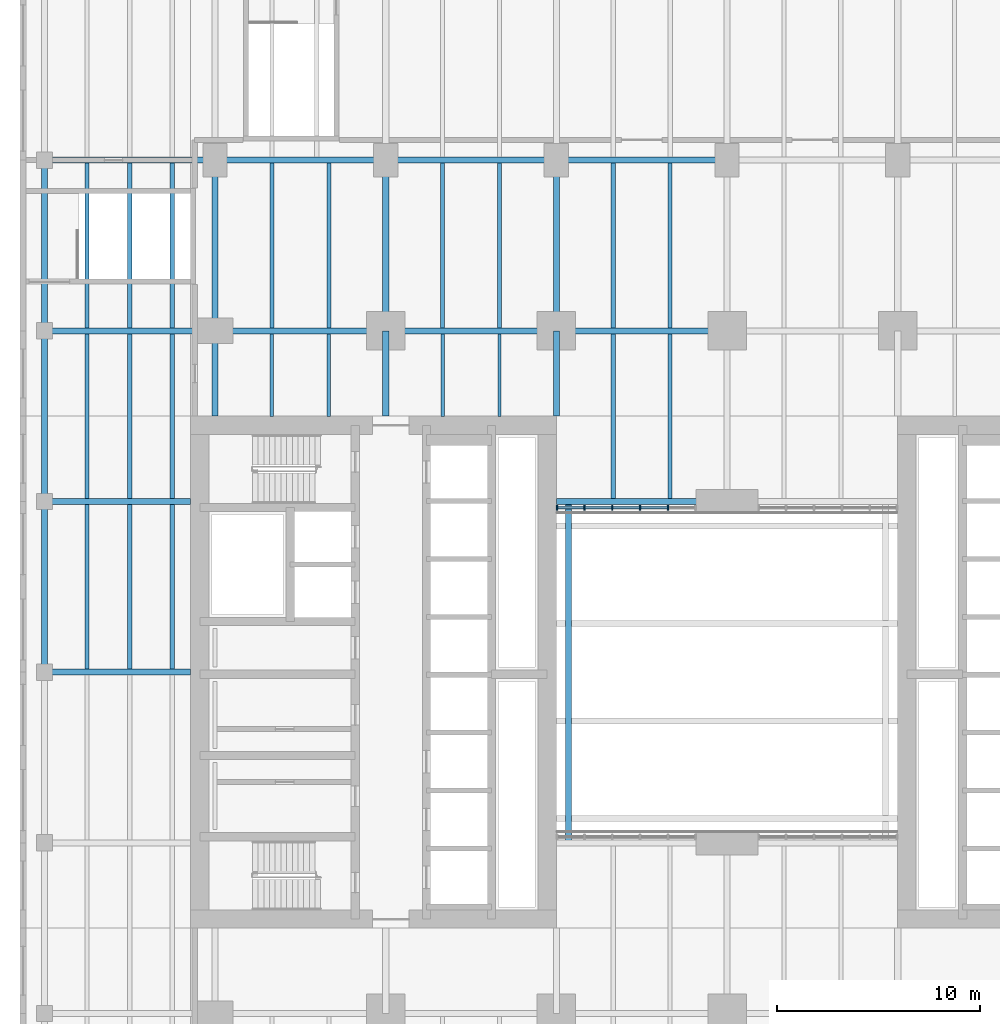
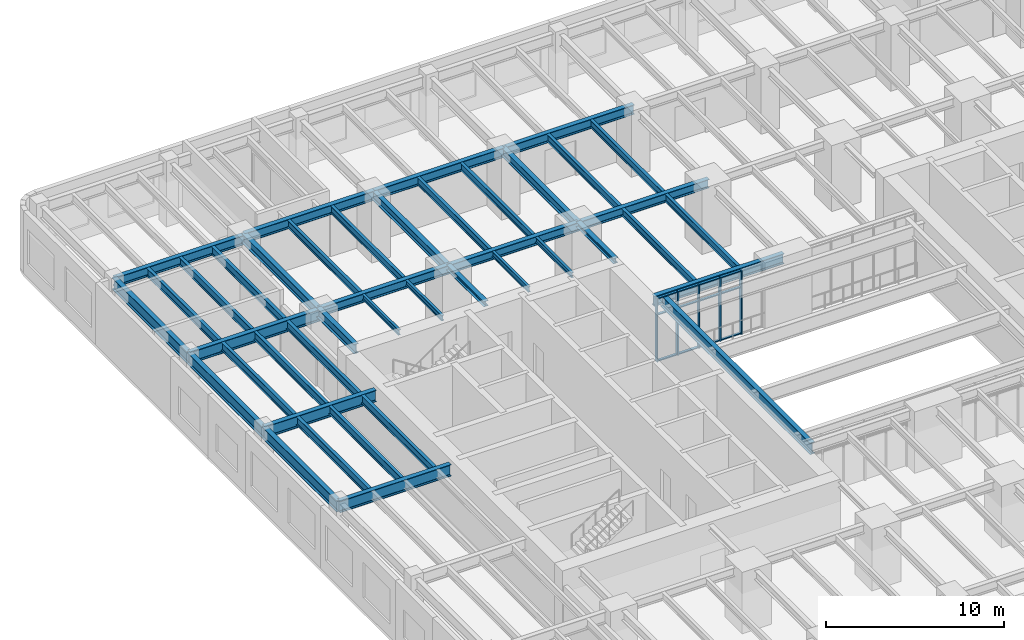
# One storey, part 4 of 22: 42 beams, 17 members, 1 element without a shape of its own.
"""IFC4 building model written with IfcOpenShell, lengths in metres."""

import ifcopenshell
import ifcopenshell.guid

model = None  # the IFC model being written
_history = None  # IfcOwnerHistory: only IFC2X3 demands one
_inside = {}  # id of a spatial element -> (the spatial element, [elements in it])
_under = {}  # id of a project, library or spatial element -> (it, [spatial elements below it])
_declared = {}  # id of a project -> (the project, [libraries it declares])
_typed = {}  # id of a type object -> (the type object, [elements of that type])
_made_of = {}  # id of a material, layer set ... -> (it, [elements and type objects made of it])


def new_model(schema):
    """Start an empty IFC model of exactly this schema.

    Asked for "IFC4X3", IfcOpenShell would pick the latest addendum, in which some entities
    have other attributes; the version numbers below select the first issue.
    IFC2X3 requires an IfcOwnerHistory on every rooted entity: one is made here for all.
    """
    global model, _history
    if schema == "IFC4X3":
        model = ifcopenshell.file(schema_version=(4, 3, 0, 0))
    else:
        model = ifcopenshell.file(schema=schema)
    _inside.clear()
    _under.clear()
    _declared.clear()
    _typed.clear()
    _made_of.clear()
    _history = None
    if model.schema == "IFC2X3":
        org = make("IfcOrganization", Name="unknown")
        user = make(
            "IfcPersonAndOrganization",
            ThePerson=make("IfcPerson", FamilyName="unknown"),
            TheOrganization=org,
        )
        app = make(
            "IfcApplication",
            ApplicationDeveloper=org,
            Version="unknown",
            ApplicationFullName="unknown",
            ApplicationIdentifier="unknown",
        )
        _history = make(
            "IfcOwnerHistory",
            OwningUser=user,
            OwningApplication=app,
            ChangeAction="ADDED",
            CreationDate=0,
        )
    return model


def make(cls, **values):
    """One entity of the class cls with the attributes given. An attribute that is None is left unset."""
    return model.create_entity(
        cls, **{name: value for name, value in values.items() if value is not None}
    )


def rooted(cls, **values):
    """An entity with a GlobalId (a new one), such as an element, a storey or a relation."""
    return make(cls, GlobalId=ifcopenshell.guid.new(), OwnerHistory=_history, **values)


def si_unit(unit_type, name, prefix=None):
    """IfcSIUnit, for example si_unit("LENGTHUNIT", "METRE", prefix="MILLI")."""
    return make("IfcSIUnit", UnitType=unit_type, Prefix=prefix, Name=name)


def assignment(units):
    """IfcUnitAssignment: the units of a project."""
    return None if units is None else make("IfcUnitAssignment", Units=units)


def point(xyz):
    """IfcCartesianPoint."""
    return None if xyz is None else make("IfcCartesianPoint", Coordinates=xyz)


def direction(xyz):
    """IfcDirection."""
    return None if xyz is None else make("IfcDirection", DirectionRatios=xyz)


def frame(location, z_axis=None, x_axis=None):
    """IfcAxis2Placement3D, a coordinate frame: its origin and axes. An axis left out is left unset."""
    return make(
        "IfcAxis2Placement3D",
        Location=point(location),
        Axis=direction(z_axis),
        RefDirection=direction(x_axis),
    )


def frame_2d(location, x_axis=None):
    """IfcAxis2Placement2D, a coordinate frame in the plane: its origin and x axis."""
    return make(
        "IfcAxis2Placement2D", Location=point(location), RefDirection=direction(x_axis)
    )


def origin():
    """The frame at (0, 0, 0) with its axes left unset."""
    return frame((0.0, 0.0, 0.0))


def origin_2d():
    """The frame at (0, 0) in the plane with its x axis left unset."""
    return frame_2d((0.0, 0.0))


def place(relative_to, where):
    """IfcLocalPlacement: puts the frame where relative to a parent placement (None: the world)."""
    return make(
        "IfcLocalPlacement", PlacementRelTo=relative_to, RelativePlacement=where
    )


def context(
    kind, dimensions, precision=None, world=None, true_north=None, identifier=None
):
    """IfcGeometricRepresentationContext, for example the 3D "Model" context."""
    return make(
        "IfcGeometricRepresentationContext",
        ContextIdentifier=identifier,
        ContextType=kind,
        CoordinateSpaceDimension=dimensions,
        Precision=precision,
        WorldCoordinateSystem=world,
        TrueNorth=true_north,
    )


def subcontext(parent, identifier, kind, view, scale=None):
    """IfcGeometricRepresentationSubContext, for example "Body" below "Model"."""
    return make(
        "IfcGeometricRepresentationSubContext",
        ContextIdentifier=identifier,
        ContextType=kind,
        ParentContext=parent,
        TargetScale=scale,
        TargetView=view,
    )


def project(units=None, contexts=None):
    """IfcProject with its units and contexts."""
    return rooted(
        "IfcProject",
        Name="project",
        RepresentationContexts=contexts,
        UnitsInContext=assignment(units),
    )


def spatial(cls, under=None, at=None, **own):
    """A site, building, storey or space (cls), placed at a placement, below another one or the project."""
    s = rooted(cls, ObjectPlacement=at, **own)
    if under is not None:
        _under.setdefault(under.id(), (under, []))[1].append(s)
    return s


def profile(cls, at=None, kind="AREA", **sizes):
    """A parametric profile (cls). Its sizes go by their IFC names, for example OverallWidth=200.0."""
    return make(cls, ProfileType=kind, Position=at, **sizes)


def rectangle(**sizes):
    """IfcRectangleProfileDef."""
    return profile("IfcRectangleProfileDef", **sizes)


def i_section(**sizes):
    """IfcIShapeProfileDef."""
    return profile("IfcIShapeProfileDef", **sizes)


def extrude(swept, where, along, depth):
    """IfcExtrudedAreaSolid: the profile swept, set in the frame where, extruded along a direction by depth."""
    return make(
        "IfcExtrudedAreaSolid",
        SweptArea=swept,
        Position=where,
        ExtrudedDirection=direction(along),
        Depth=depth,
    )


def shape(context_of_items, identifier, shape_type, items):
    """IfcShapeRepresentation: the items that make up one representation, for example the "Body"."""
    return make(
        "IfcShapeRepresentation",
        ContextOfItems=context_of_items,
        RepresentationIdentifier=identifier,
        RepresentationType=shape_type,
        Items=items,
    )


def material(Name=None, Category=None):
    """IfcMaterial."""
    return make("IfcMaterial", Name=Name, Category=Category)


def material_profile(
    of_material, cross_section, Name=None, Category=None, Priority=None
):
    """IfcMaterialProfile: a cross section and its material."""
    return make(
        "IfcMaterialProfile",
        Name=Name,
        Material=of_material,
        Profile=cross_section,
        Priority=Priority,
        Category=Category,
    )


def profile_set(profiles, Name=None, composite=None):
    """IfcMaterialProfileSet."""
    return make(
        "IfcMaterialProfileSet",
        Name=Name,
        MaterialProfiles=profiles,
        CompositeProfile=composite,
    )


def made_of(thing, what):
    """Note that an element or type object is made of a material, layer set ...; save() writes the relation."""
    if what is not None:
        _made_of.setdefault(what.id(), (what, []))[1].append(thing)
    return thing


def type_object(cls, material=None, **own):
    """A type object (cls), such as IfcWallType, which elements share."""
    return made_of(rooted(cls, **own), material)


def element(
    cls,
    number,
    at=None,
    inside=None,
    cuts=None,
    type_object=None,
    material=None,
    context=None,
    identifier="Body",
    shape_type=None,
    held_by="IfcProductDefinitionShape",
    body=None,
    shapes=None,
    **own,
):
    """One element of the class cls, such as IfcWall. Its Tag is "e" and its number.

    at: its placement. inside: the storey or other place that contains it. cuts: it is an
    opening in that element (IfcRelVoidsElement). A single representation is given by context,
    identifier, shape_type and body (its items); several are given by shapes. held_by: the class
    of the entity that holds the representations. save() writes the other relations.
    """
    e = rooted(cls, Tag="e%d" % number, ObjectPlacement=at, **own)
    if body is not None:
        shapes = [shape(context, identifier, shape_type, body)]
    if shapes is not None:
        e.Representation = make(held_by, Representations=shapes)
    if inside is not None:
        _inside.setdefault(inside.id(), (inside, []))[1].append(e)
    if cuts is not None:
        rooted(
            "IfcRelVoidsElement", RelatingBuildingElement=cuts, RelatedOpeningElement=e
        )
    if type_object is not None:
        _typed.setdefault(type_object.id(), (type_object, []))[1].append(e)
    return made_of(e, material)


def aggregate(whole, parts):
    """IfcRelAggregates: a whole, such as a stair, and the parts it consists of."""
    return rooted("IfcRelAggregates", RelatingObject=whole, RelatedObjects=parts)


def save(model, path):
    """Write the relations noted so far, then the file.

    IfcRelAggregates (storeys below a building ...), IfcRelContainedInSpatialStructure (elements
    in a storey), IfcRelDefinesByType, IfcRelAssociatesMaterial and IfcRelDeclares: one each for
    every whole, place, type object, material and project.
    """
    for whole, parts in _under.values():
        aggregate(whole, parts)
    for where, things in _inside.values():
        rooted(
            "IfcRelContainedInSpatialStructure",
            RelatedElements=things,
            RelatingStructure=where,
        )
    for kind, things in _typed.values():
        rooted("IfcRelDefinesByType", RelatedObjects=things, RelatingType=kind)
    for what, things in _made_of.values():
        rooted("IfcRelAssociatesMaterial", RelatedObjects=things, RelatingMaterial=what)
    for by, libraries in _declared.values():
        rooted("IfcRelDeclares", RelatingContext=by, RelatedDefinitions=libraries)
    model.write(path)


model = new_model("IFC4")

# Units and contexts
model_context = context("Model", 3, precision=1e-05, world=origin(), true_north=direction((0.0, 1.0)))
body_context = subcontext(model_context, "Body", "Model", "MODEL_VIEW")
ifc_project = project(units=[si_unit("LENGTHUNIT", "METRE"), si_unit("AREAUNIT", "SQUARE_METRE"), si_unit("VOLUMEUNIT", "CUBIC_METRE"), si_unit("PLANEANGLEUNIT", "RADIAN"), si_unit("MASSUNIT", "GRAM", prefix="KILO")], contexts=[model_context])

# Site, building, storey
site_placement = place(None, origin())
site = spatial("IfcSite", under=ifc_project, at=site_placement, CompositionType="ELEMENT")
building_placement = place(site_placement, origin())
building = spatial("IfcBuilding", under=site, at=building_placement, Name="Claustro Exchange Tower", CompositionType="ELEMENT")
storey_placement = place(building_placement, frame((0.0, 0.0, 14.39990234375)))
storey = spatial("IfcBuildingStorey", under=building, at=storey_placement, Name="L03", CompositionType="ELEMENT", Elevation=14.39990234375)

# Beams
ifc_material_1 = material(Name="Steel S355", Category="steel")
ifc_material_profile_1 = material_profile(ifc_material_1, i_section(OverallWidth=0.300048828125, OverallDepth=0.60009765625, WebThickness=0.015380859375, FlangeThickness=0.030029296875, FilletRadius=0.027099609375, at=origin_2d()), Name="HE 600 B")
ifc_profile_set_1 = profile_set([ifc_material_profile_1], Name="Steel S355")
beam_type_1 = type_object("IfcBeamType", Name="B1 HE 600 B floor girder", PredefinedType="BEAM", material=ifc_profile_set_1)
for number, where, z_axis, x_axis, name in (
    (1, (8.39990234375, 42.0, 4.0400390625), (0.0, 1.0, 0.0), (-1.0, 0.0, 0.0), "Beam B1 L04"),
    (2, (16.800048828125, 42.0, 4.0400390625), (0.0, 1.0, 0.0), (-1.0, 0.0, 0.0), "Beam B1 L04"),
    (3, (0.0, 42.0, 4.0400390625), (1.0, 0.0, 0.0), (0.0, 1.0, 0.0), "Beam B1 L04"),
):
    element("IfcBeam", number, at=place(storey_placement, frame(where, z_axis=z_axis, x_axis=x_axis)), inside=storey, type_object=beam_type_1, Name=name, PredefinedType="BEAM", context=body_context, shape_type="SweptSolid", body=[
        extrude(i_section(OverallWidth=0.300048828125, OverallDepth=0.60009765625, WebThickness=0.015380859375, FlangeThickness=0.030029296875, FilletRadius=0.027099609375, at=origin_2d()), origin(), (0.0, 0.0, 1.0), 8.39990234375),
    ])
beam_1_placement = place(storey_placement, frame((8.39990234375, 42.0, 4.0400390625), z_axis=(1.0, 0.0, 0.0), x_axis=(0.0, 1.0, 0.0)))
element("IfcBeam", 4, at=beam_1_placement, inside=storey, type_object=beam_type_1, Name="Beam B1 L04", PredefinedType="BEAM", context=body_context, shape_type="SweptSolid", body=[
    extrude(i_section(OverallWidth=0.300048828125, OverallDepth=0.60009765625, WebThickness=0.015380859375, FlangeThickness=0.030029296875, FilletRadius=0.027099609375, at=origin_2d()), origin(), (0.0, 0.0, 1.0), 8.400146484375),
])
beam_2_placement = place(storey_placement, frame((16.800048828125, 42.0, 4.0400390625), z_axis=(1.0, 0.0, 0.0), x_axis=(0.0, 1.0, 0.0)))
element("IfcBeam", 5, at=beam_2_placement, inside=storey, type_object=beam_type_1, Name="Beam B1 L04", PredefinedType="BEAM", context=body_context, shape_type="SweptSolid", body=[
    extrude(i_section(OverallWidth=0.300048828125, OverallDepth=0.60009765625, WebThickness=0.015380859375, FlangeThickness=0.030029296875, FilletRadius=0.027099609375, at=origin_2d()), origin(), (0.0, 0.0, 1.0), 8.39990234375),
])
ifc_material_2 = material(Name="Steel S355", Category="steel")
ifc_material_profile_2 = material_profile(ifc_material_2, i_section(OverallWidth=0.300048828125, OverallDepth=0.68994140625, WebThickness=0.014404296875, FlangeThickness=0.027099609375, FilletRadius=0.027099609375, at=origin_2d()), Name="HE 700 A")
ifc_profile_set_2 = profile_set([ifc_material_profile_2], Name="Steel S355")
beam_type_2 = type_object("IfcBeamType", Name="B13 HE 700 A light well edge girder", PredefinedType="BEAM", material=ifc_profile_set_2)
beam_3_placement = place(storey_placement, frame((16.800048828125, 33.60009765625, 3.9951171875), z_axis=(1.0, 0.0, 0.0), x_axis=(0.0, 1.0, 0.0)))
element("IfcBeam", 6, at=beam_3_placement, inside=storey, type_object=beam_type_2, Name="Beam B13 L04", PredefinedType="BEAM", context=body_context, shape_type="SweptSolid", body=[
    extrude(i_section(OverallWidth=0.300048828125, OverallDepth=0.68994140625, WebThickness=0.014404296875, FlangeThickness=0.027099609375, FilletRadius=0.027099609375, at=origin_2d()), origin(), (0.0, 0.0, 1.0), 8.39990234375),
])
ifc_material_3 = material(Name="Steel S355", Category="steel")
ifc_material_profile_3 = material_profile(ifc_material_3, i_section(OverallWidth=0.169921875, OverallDepth=0.360107421875, WebThickness=0.008056640625, FlangeThickness=0.0126953125, FilletRadius=0.01806640625, at=origin_2d()), Name="IPE 360")
ifc_profile_set_3 = profile_set([ifc_material_profile_3], Name="Steel S355")
beam_type_3 = type_object("IfcBeamType", Name="B16 IPE 360 short-span beam", PredefinedType="BEAM", material=ifc_profile_set_3)
for number, where, z_axis, x_axis, name in (
    (7, (2.800048828125, 37.7900390625, 4.16015625), (0.0, 1.0, 0.0), (-1.0, 0.0, 0.0), "Beam B16 L04"),
    (8, (5.60009765625, 37.7900390625, 4.16015625), (0.0, 1.0, 0.0), (-1.0, 0.0, 0.0), "Beam B16 L04"),
    (9, (11.199951171875, 37.7900390625, 4.16015625), (0.0, 1.0, 0.0), (-1.0, 0.0, 0.0), "Beam B16 L04"),
    (10, (14.0, 37.7900390625, 4.16015625), (0.0, 1.0, 0.0), (-1.0, 0.0, 0.0), "Beam B16 L04"),
):
    element("IfcBeam", number, at=place(storey_placement, frame(where, z_axis=z_axis, x_axis=x_axis)), inside=storey, type_object=beam_type_3, Name=name, PredefinedType="BEAM", context=body_context, shape_type="SweptSolid", body=[
        extrude(i_section(OverallWidth=0.169921875, OverallDepth=0.360107421875, WebThickness=0.008056640625, FlangeThickness=0.0126953125, FilletRadius=0.01806640625, at=origin_2d()), origin(), (0.0, 0.0, 1.0), 4.06005859375),
    ])
ifc_material_4 = material(Name="Steel S355", Category="steel")
ifc_material_profile_4 = material_profile(ifc_material_4, i_section(OverallWidth=0.300048828125, OverallDepth=0.800048828125, WebThickness=0.017578125, FlangeThickness=0.032958984375, FilletRadius=0.030029296875, at=origin_2d()), Name="HE 800 B")
ifc_profile_set_4 = profile_set([ifc_material_profile_4], Name="Steel S355")
beam_type_4 = type_object("IfcBeamType", Name="B18 HE 800 B floor girder", PredefinedType="BEAM", material=ifc_profile_set_4)
beam_4_placement = place(storey_placement, frame((-8.39990234375, 25.199951171875, 3.85009765625), z_axis=(0.0, 1.0, 0.0), x_axis=(-1.0, 0.0, 0.0)))
element("IfcBeam", 11, at=beam_4_placement, inside=storey, type_object=beam_type_4, Name="Beam B18 L04", PredefinedType="BEAM", context=body_context, shape_type="SweptSolid", body=[
    extrude(i_section(OverallWidth=0.300048828125, OverallDepth=0.800048828125, WebThickness=0.017578125, FlangeThickness=0.032958984375, FilletRadius=0.030029296875, at=origin_2d()), origin(), (0.0, 0.0, 1.0), 8.400146484375),
])
for number, where, z_axis, x_axis, name in (
    (12, (-8.39990234375, 33.60009765625, 3.85009765625), (0.0, 1.0, 0.0), (-1.0, 0.0, 0.0), "Beam B18 L04"),
    (13, (-8.39990234375, 42.0, 3.85009765625), (0.0, 1.0, 0.0), (-1.0, 0.0, 0.0), "Beam B18 L04"),
):
    element("IfcBeam", number, at=place(storey_placement, frame(where, z_axis=z_axis, x_axis=x_axis)), inside=storey, type_object=beam_type_4, Name=name, PredefinedType="BEAM", context=body_context, shape_type="SweptSolid", body=[
        extrude(i_section(OverallWidth=0.300048828125, OverallDepth=0.800048828125, WebThickness=0.017578125, FlangeThickness=0.032958984375, FilletRadius=0.030029296875, at=origin_2d()), origin(), (0.0, 0.0, 1.0), 8.39990234375),
    ])
beam_5_placement = place(storey_placement, frame((17.39990234375, 16.800048828125, 3.85009765625), z_axis=(0.0, 1.0, 0.0), x_axis=(-1.0, 0.0, 0.0)))
element("IfcBeam", 14, at=beam_5_placement, inside=storey, type_object=beam_type_4, Name="Beam B18 L04", PredefinedType="BEAM", context=body_context, shape_type="SweptSolid", body=[
    extrude(i_section(OverallWidth=0.300048828125, OverallDepth=0.800048828125, WebThickness=0.017578125, FlangeThickness=0.032958984375, FilletRadius=0.030029296875, at=origin_2d()), origin(), (0.0, 0.0, 1.0), 16.800048828125),
])
for number, where, z_axis, x_axis, name in (
    (15, (-8.39990234375, 25.199951171875, 3.85009765625), (1.0, 0.0, 0.0), (0.0, 1.0, 0.0), "Beam B18 L04"),
    (16, (-8.39990234375, 33.60009765625, 3.85009765625), (1.0, 0.0, 0.0), (0.0, 1.0, 0.0), "Beam B18 L04"),
):
    element("IfcBeam", number, at=place(storey_placement, frame(where, z_axis=z_axis, x_axis=x_axis)), inside=storey, type_object=beam_type_4, Name=name, PredefinedType="BEAM", context=body_context, shape_type="SweptSolid", body=[
        extrude(i_section(OverallWidth=0.300048828125, OverallDepth=0.800048828125, WebThickness=0.017578125, FlangeThickness=0.032958984375, FilletRadius=0.030029296875, at=origin_2d()), origin(), (0.0, 0.0, 1.0), 7.199951171875),
    ])
beam_6_placement = place(storey_placement, frame((-8.39990234375, 42.0, 3.85009765625), z_axis=(1.0, 0.0, 0.0), x_axis=(0.0, 1.0, 0.0)))
element("IfcBeam", 17, at=beam_6_placement, inside=storey, type_object=beam_type_4, Name="Beam B18 L04", PredefinedType="BEAM", context=body_context, shape_type="SweptSolid", body=[
    extrude(i_section(OverallWidth=0.300048828125, OverallDepth=0.800048828125, WebThickness=0.017578125, FlangeThickness=0.032958984375, FilletRadius=0.030029296875, at=origin_2d()), origin(), (0.0, 0.0, 1.0), 8.39990234375),
])
ifc_material_5 = material(Name="Steel S355", Category="steel")
ifc_material_profile_5 = material_profile(ifc_material_5, i_section(OverallWidth=0.2099609375, OverallDepth=0.550048828125, WebThickness=0.010986328125, FlangeThickness=0.01708984375, FilletRadius=0.02392578125, at=origin_2d()), Name="IPE 550")
ifc_profile_set_5 = profile_set([ifc_material_profile_5], Name="Steel S355")
beam_type_5 = type_object("IfcBeamType", Name="B19 IPE 550 secondary beam", PredefinedType="BEAM", material=ifc_profile_set_5)
for number, where, z_axis, x_axis, name in (
    (18, (-6.300048828125, 25.35009765625, 3.97509765625), (0.0, 1.0, 0.0), (-1.0, 0.0, 0.0), "Beam B19 L04"),
    (19, (-4.199951171875, 25.35009765625, 3.97509765625), (0.0, 1.0, 0.0), (-1.0, 0.0, 0.0), "Beam B19 L04"),
    (20, (-2.10009765625, 25.35009765625, 3.97509765625), (0.0, 1.0, 0.0), (-1.0, 0.0, 0.0), "Beam B19 L04"),
):
    element("IfcBeam", number, at=place(storey_placement, frame(where, z_axis=z_axis, x_axis=x_axis)), inside=storey, type_object=beam_type_5, Name=name, PredefinedType="BEAM", context=body_context, shape_type="SweptSolid", body=[
        extrude(i_section(OverallWidth=0.2099609375, OverallDepth=0.550048828125, WebThickness=0.010986328125, FlangeThickness=0.01708984375, FilletRadius=0.02392578125, at=origin_2d()), origin(), (0.0, 0.0, 1.0), 8.099853515625),
    ])
for number, where, z_axis, x_axis, name in (
    (21, (-6.300048828125, 33.75, 3.97509765625), (0.0, 1.0, 0.0), (-1.0, 0.0, 0.0), "Beam B19 L04"),
    (22, (-4.199951171875, 33.75, 3.97509765625), (0.0, 1.0, 0.0), (-1.0, 0.0, 0.0), "Beam B19 L04"),
    (23, (-2.10009765625, 33.75, 3.97509765625), (0.0, 1.0, 0.0), (-1.0, 0.0, 0.0), "Beam B19 L04"),
    (24, (-6.300048828125, 42.14990234375, 3.97509765625), (0.0, 1.0, 0.0), (-1.0, 0.0, 0.0), "Beam B19 L04"),
    (25, (-4.199951171875, 42.14990234375, 3.97509765625), (0.0, 1.0, 0.0), (-1.0, 0.0, 0.0), "Beam B19 L04"),
    (26, (-2.10009765625, 42.14990234375, 3.97509765625), (0.0, 1.0, 0.0), (-1.0, 0.0, 0.0), "Beam B19 L04"),
):
    element("IfcBeam", number, at=place(storey_placement, frame(where, z_axis=z_axis, x_axis=x_axis)), inside=storey, type_object=beam_type_5, Name=name, PredefinedType="BEAM", context=body_context, shape_type="SweptSolid", body=[
        extrude(i_section(OverallWidth=0.2099609375, OverallDepth=0.550048828125, WebThickness=0.010986328125, FlangeThickness=0.01708984375, FilletRadius=0.02392578125, at=origin_2d()), origin(), (0.0, 0.0, 1.0), 8.10009765625),
    ])
ifc_material_6 = material(Name="Steel S355", Category="steel")
ifc_material_profile_6 = material_profile(ifc_material_6, i_section(OverallWidth=0.199951171875, OverallDepth=0.5, WebThickness=0.01025390625, FlangeThickness=0.01611328125, FilletRadius=0.02099609375, at=origin_2d()), Name="IPE 500")
ifc_profile_set_6 = profile_set([ifc_material_profile_6], Name="Steel S355")
beam_type_6 = type_object("IfcBeamType", Name="B2 IPE 500 secondary beam", PredefinedType="BEAM", material=ifc_profile_set_6)
for number, where, z_axis, x_axis, name in (
    (27, (2.800048828125, 42.14990234375, 4.090087890625), (0.0, 1.0, 0.0), (-1.0, 0.0, 0.0), "Beam B2 L04"),
    (28, (5.60009765625, 42.14990234375, 4.090087890625), (0.0, 1.0, 0.0), (-1.0, 0.0, 0.0), "Beam B2 L04"),
    (29, (11.199951171875, 42.14990234375, 4.090087890625), (0.0, 1.0, 0.0), (-1.0, 0.0, 0.0), "Beam B2 L04"),
    (30, (14.0, 42.14990234375, 4.090087890625), (0.0, 1.0, 0.0), (-1.0, 0.0, 0.0), "Beam B2 L04"),
    (31, (19.60009765625, 33.75, 4.090087890625), (0.0, 1.0, 0.0), (-1.0, 0.0, 0.0), "Beam B2 L04"),
    (32, (22.39990234375, 33.75, 4.090087890625), (0.0, 1.0, 0.0), (-1.0, 0.0, 0.0), "Beam B2 L04"),
    (33, (19.60009765625, 42.14990234375, 4.090087890625), (0.0, 1.0, 0.0), (-1.0, 0.0, 0.0), "Beam B2 L04"),
    (34, (22.39990234375, 42.14990234375, 4.090087890625), (0.0, 1.0, 0.0), (-1.0, 0.0, 0.0), "Beam B2 L04"),
):
    element("IfcBeam", number, at=place(storey_placement, frame(where, z_axis=z_axis, x_axis=x_axis)), inside=storey, type_object=beam_type_6, Name=name, PredefinedType="BEAM", context=body_context, shape_type="SweptSolid", body=[
        extrude(i_section(OverallWidth=0.199951171875, OverallDepth=0.5, WebThickness=0.01025390625, FlangeThickness=0.01611328125, FilletRadius=0.02099609375, at=origin_2d()), origin(), (0.0, 0.0, 1.0), 8.10009765625),
    ])
ifc_material_7 = material(Name="Steel S355", Category="steel")
ifc_material_profile_7 = material_profile(ifc_material_7, i_section(OverallWidth=0.300048828125, OverallDepth=0.64990234375, WebThickness=0.01611328125, FlangeThickness=0.031005859375, FilletRadius=0.027099609375, at=origin_2d()), Name="HE 650 B")
ifc_profile_set_7 = profile_set([ifc_material_profile_7], Name="Steel S355")
beam_type_7 = type_object("IfcBeamType", Name="B26 HE 650 B podium roof spandrel edge girder", PredefinedType="SPANDREL", material=ifc_profile_set_7)
beam_7_placement = place(storey_placement, frame((0.0, 37.800048828125, 4.01513671875), z_axis=(0.0, 1.0, 0.0), x_axis=(-1.0, 0.0, 0.0)))
element("IfcBeam", 35, at=beam_7_placement, inside=storey, type_object=beam_type_7, Name="Beam B26 L04", PredefinedType="SPANDREL", context=body_context, shape_type="SweptSolid", body=[
    extrude(i_section(OverallWidth=0.300048828125, OverallDepth=0.64990234375, WebThickness=0.01611328125, FlangeThickness=0.031005859375, FilletRadius=0.027099609375, at=origin_2d()), origin(), (0.0, 0.0, 1.0), 4.199951171875),
])
for number, where, z_axis, x_axis, name in (
    (36, (0.0, 42.0, 4.01513671875), (0.0, 1.0, 0.0), (-1.0, 0.0, 0.0), "Beam B26 L04"),
    (37, (-8.39990234375, 50.39990234375, 3.925048828125), (1.0, 0.0, 0.0), (0.0, 1.0, 0.0), "Beam B26 L04"),
    (38, (0.0, 50.39990234375, 4.01513671875), (1.0, 0.0, 0.0), (0.0, 1.0, 0.0), "Beam B26 L04"),
):
    element("IfcBeam", number, at=place(storey_placement, frame(where, z_axis=z_axis, x_axis=x_axis)), inside=storey, type_object=beam_type_7, Name=name, PredefinedType="SPANDREL", context=body_context, shape_type="SweptSolid", body=[
        extrude(i_section(OverallWidth=0.300048828125, OverallDepth=0.64990234375, WebThickness=0.01611328125, FlangeThickness=0.031005859375, FilletRadius=0.027099609375, at=origin_2d()), origin(), (0.0, 0.0, 1.0), 8.39990234375),
    ])
beam_8_placement = place(storey_placement, frame((8.39990234375, 50.39990234375, 4.01513671875), z_axis=(1.0, 0.0, 0.0), x_axis=(0.0, 1.0, 0.0)))
element("IfcBeam", 39, at=beam_8_placement, inside=storey, type_object=beam_type_7, Name="Beam B26 L04", PredefinedType="SPANDREL", context=body_context, shape_type="SweptSolid", body=[
    extrude(i_section(OverallWidth=0.300048828125, OverallDepth=0.64990234375, WebThickness=0.01611328125, FlangeThickness=0.031005859375, FilletRadius=0.027099609375, at=origin_2d()), origin(), (0.0, 0.0, 1.0), 8.400146484375),
])
beam_9_placement = place(storey_placement, frame((16.800048828125, 50.39990234375, 4.01513671875), z_axis=(1.0, 0.0, 0.0), x_axis=(0.0, 1.0, 0.0)))
element("IfcBeam", 40, at=beam_9_placement, inside=storey, type_object=beam_type_7, Name="Beam B26 L04", PredefinedType="SPANDREL", context=body_context, shape_type="SweptSolid", body=[
    extrude(i_section(OverallWidth=0.300048828125, OverallDepth=0.64990234375, WebThickness=0.01611328125, FlangeThickness=0.031005859375, FilletRadius=0.027099609375, at=origin_2d()), origin(), (0.0, 0.0, 1.0), 8.39990234375),
])
ifc_material_8 = material(Name="Steel S355", Category="steel")
ifc_material_profile_8 = material_profile(ifc_material_8, i_section(OverallWidth=0.300048828125, OverallDepth=0.360107421875, WebThickness=0.012451171875, FlangeThickness=0.0224609375, FilletRadius=0.027099609375, at=origin_2d()), Name="HE 360 B")
ifc_profile_set_8 = profile_set([ifc_material_profile_8], Name="Steel S355")
beam_type_8 = type_object("IfcBeamType", Name="B29 HE 360 B column to core link beam", PredefinedType="BEAM", material=ifc_profile_set_8)
for number, where, z_axis, x_axis, name in (
    (41, (8.39990234375, 37.800048828125, 4.16015625), (0.0, 1.0, 0.0), (-1.0, 0.0, 0.0), "Beam B29 L04"),
    (42, (16.800048828125, 37.800048828125, 4.16015625), (0.0, 1.0, 0.0), (-1.0, 0.0, 0.0), "Beam B29 L04"),
):
    element("IfcBeam", number, at=place(storey_placement, frame(where, z_axis=z_axis, x_axis=x_axis)), inside=storey, type_object=beam_type_8, Name=name, PredefinedType="BEAM", context=body_context, shape_type="SweptSolid", body=[
        extrude(i_section(OverallWidth=0.300048828125, OverallDepth=0.360107421875, WebThickness=0.012451171875, FlangeThickness=0.0224609375, FilletRadius=0.027099609375, at=origin_2d()), origin(), (0.0, 0.0, 1.0), 4.199951171875),
    ])

# Curtain wall, members
ifc_material_9 = material(Name="Aluminium frame, clear double glazing", Category="aluminium")
curtain_wall_type = type_object("IfcCurtainWallType", Name="CW6 sky lobby and conference curtain wall", PredefinedType="USERDEFINED", material=ifc_material_9)
curtain_wall_placement = place(storey_placement, origin())
curtain_wall = element("IfcCurtainWall", 43, at=curtain_wall_placement, inside=storey, type_object=curtain_wall_type, Name="Curtain wall CW6 L03", ObjectType="STICK CURTAIN WALL", PredefinedType="USERDEFINED")
ifc_material_10 = material(Name="Aluminium mullion", Category="aluminium")
ifc_material_profile_9 = material_profile(ifc_material_10, rectangle(XDim=0.25, YDim=0.070068359375, at=origin_2d()), Name="CW6-M 70x250")
ifc_profile_set_9 = profile_set([ifc_material_profile_9], Name="Aluminium mullion")
member_type_1 = type_object("IfcMemberType", Name="CW6-M 70 x 250 mullion", PredefinedType="MULLION", material=ifc_profile_set_9)
member_1_placement = place(storey_placement, frame((16.8349609375, 33.300048828125, 0.0), z_axis=(0.0, 0.0, 1.0), x_axis=(0.0, 1.0, 0.0)))
member_1 = element("IfcMember", 44, at=member_1_placement, type_object=member_type_1, Name="CW6 mullion 1", PredefinedType="MULLION", context=body_context, shape_type="SweptSolid", body=[
    extrude(rectangle(XDim=0.25, YDim=0.070068359375, at=origin_2d()), origin(), (0.0, 0.0, 1.0), 4.340087890625),
])
member_2_placement = place(storey_placement, frame((18.175048828125, 33.300048828125, 0.0), z_axis=(0.0, 0.0, 1.0), x_axis=(0.0, 1.0, 0.0)))
member_2 = element("IfcMember", 45, at=member_2_placement, type_object=member_type_1, Name="CW6 mullion 2", PredefinedType="MULLION", context=body_context, shape_type="SweptSolid", body=[
    extrude(rectangle(XDim=0.25, YDim=0.070068359375, at=origin_2d()), origin(), (0.0, 0.0, 1.0), 4.340087890625),
])
member_3_placement = place(storey_placement, frame((19.550048828125, 33.300048828125, 0.0), z_axis=(0.0, 0.0, 1.0), x_axis=(0.0, 1.0, 0.0)))
member_3 = element("IfcMember", 46, at=member_3_placement, type_object=member_type_1, Name="CW6 mullion 3", PredefinedType="MULLION", context=body_context, shape_type="SweptSolid", body=[
    extrude(rectangle(XDim=0.25, YDim=0.070068359375, at=origin_2d()), origin(), (0.0, 0.0, 1.0), 4.340087890625),
])
member_4_placement = place(storey_placement, frame((20.925048828125, 33.300048828125, 0.0), z_axis=(0.0, 0.0, 1.0), x_axis=(0.0, 1.0, 0.0)))
member_4 = element("IfcMember", 47, at=member_4_placement, type_object=member_type_1, Name="CW6 mullion 4", PredefinedType="MULLION", context=body_context, shape_type="SweptSolid", body=[
    extrude(rectangle(XDim=0.25, YDim=0.070068359375, at=origin_2d()), origin(), (0.0, 0.0, 1.0), 4.340087890625),
])
member_5_placement = place(storey_placement, frame((22.300048828125, 33.300048828125, 0.0), z_axis=(0.0, 0.0, 1.0), x_axis=(0.0, 1.0, 0.0)))
member_5 = element("IfcMember", 48, at=member_5_placement, type_object=member_type_1, Name="CW6 mullion 5", PredefinedType="MULLION", context=body_context, shape_type="SweptSolid", body=[
    extrude(rectangle(XDim=0.25, YDim=0.070068359375, at=origin_2d()), origin(), (0.0, 0.0, 1.0), 4.340087890625),
])
ifc_material_11 = material(Name="Aluminium transom", Category="aluminium")
ifc_material_profile_10 = material_profile(ifc_material_11, rectangle(XDim=0.159912109375, YDim=0.070068359375, at=origin_2d()), Name="CW6-T 70x160")
ifc_profile_set_10 = profile_set([ifc_material_profile_10], Name="Aluminium transom")
member_type_2 = type_object("IfcMemberType", Name="CW6-T 70 x 160 transom", PredefinedType="USERDEFINED", material=ifc_profile_set_10)
member_6_placement = place(storey_placement, frame((16.8701171875, 33.300048828125, 0.03515625), z_axis=(1.0, 0.0, 0.0), x_axis=(0.0, 1.0, 0.0)))
member_6 = element("IfcMember", 49, at=member_6_placement, type_object=member_type_2, Name="CW6 transom 1.1", ObjectType="TRANSOM", PredefinedType="USERDEFINED", context=body_context, shape_type="SweptSolid", body=[
    extrude(rectangle(XDim=0.159912109375, YDim=0.070068359375, at=origin_2d()), origin(), (0.0, 0.0, 1.0), 1.269775390625),
])
member_7_placement = place(storey_placement, frame((16.8701171875, 33.300048828125, 3.2001953125), z_axis=(1.0, 0.0, 0.0), x_axis=(0.0, 1.0, 0.0)))
member_7 = element("IfcMember", 50, at=member_7_placement, type_object=member_type_2, Name="CW6 transom 1.2", ObjectType="TRANSOM", PredefinedType="USERDEFINED", context=body_context, shape_type="SweptSolid", body=[
    extrude(rectangle(XDim=0.159912109375, YDim=0.070068359375, at=origin_2d()), origin(), (0.0, 0.0, 1.0), 1.269775390625),
])
member_8_placement = place(storey_placement, frame((16.8701171875, 33.300048828125, 4.30517578125), z_axis=(1.0, 0.0, 0.0), x_axis=(0.0, 1.0, 0.0)))
member_8 = element("IfcMember", 51, at=member_8_placement, type_object=member_type_2, Name="CW6 transom 1.3", ObjectType="TRANSOM", PredefinedType="USERDEFINED", context=body_context, shape_type="SweptSolid", body=[
    extrude(rectangle(XDim=0.159912109375, YDim=0.070068359375, at=origin_2d()), origin(), (0.0, 0.0, 1.0), 1.269775390625),
])
member_9_placement = place(storey_placement, frame((18.2099609375, 33.300048828125, 0.03515625), z_axis=(1.0, 0.0, 0.0), x_axis=(0.0, 1.0, 0.0)))
member_9 = element("IfcMember", 52, at=member_9_placement, type_object=member_type_2, Name="CW6 transom 2.1", ObjectType="TRANSOM", PredefinedType="USERDEFINED", context=body_context, shape_type="SweptSolid", body=[
    extrude(rectangle(XDim=0.159912109375, YDim=0.070068359375, at=origin_2d()), origin(), (0.0, 0.0, 1.0), 1.304931640625),
])
member_10_placement = place(storey_placement, frame((18.2099609375, 33.300048828125, 3.2001953125), z_axis=(1.0, 0.0, 0.0), x_axis=(0.0, 1.0, 0.0)))
member_10 = element("IfcMember", 53, at=member_10_placement, type_object=member_type_2, Name="CW6 transom 2.2", ObjectType="TRANSOM", PredefinedType="USERDEFINED", context=body_context, shape_type="SweptSolid", body=[
    extrude(rectangle(XDim=0.159912109375, YDim=0.070068359375, at=origin_2d()), origin(), (0.0, 0.0, 1.0), 1.304931640625),
])
member_11_placement = place(storey_placement, frame((18.2099609375, 33.300048828125, 4.30517578125), z_axis=(1.0, 0.0, 0.0), x_axis=(0.0, 1.0, 0.0)))
member_11 = element("IfcMember", 54, at=member_11_placement, type_object=member_type_2, Name="CW6 transom 2.3", ObjectType="TRANSOM", PredefinedType="USERDEFINED", context=body_context, shape_type="SweptSolid", body=[
    extrude(rectangle(XDim=0.159912109375, YDim=0.070068359375, at=origin_2d()), origin(), (0.0, 0.0, 1.0), 1.304931640625),
])
member_12_placement = place(storey_placement, frame((19.5849609375, 33.300048828125, 0.03515625), z_axis=(1.0, 0.0, 0.0), x_axis=(0.0, 1.0, 0.0)))
member_12 = element("IfcMember", 55, at=member_12_placement, type_object=member_type_2, Name="CW6 transom 3.1", ObjectType="TRANSOM", PredefinedType="USERDEFINED", context=body_context, shape_type="SweptSolid", body=[
    extrude(rectangle(XDim=0.159912109375, YDim=0.070068359375, at=origin_2d()), origin(), (0.0, 0.0, 1.0), 1.304931640625),
])
member_13_placement = place(storey_placement, frame((19.5849609375, 33.300048828125, 3.2001953125), z_axis=(1.0, 0.0, 0.0), x_axis=(0.0, 1.0, 0.0)))
member_13 = element("IfcMember", 56, at=member_13_placement, type_object=member_type_2, Name="CW6 transom 3.2", ObjectType="TRANSOM", PredefinedType="USERDEFINED", context=body_context, shape_type="SweptSolid", body=[
    extrude(rectangle(XDim=0.159912109375, YDim=0.070068359375, at=origin_2d()), origin(), (0.0, 0.0, 1.0), 1.304931640625),
])
member_14_placement = place(storey_placement, frame((19.5849609375, 33.300048828125, 4.30517578125), z_axis=(1.0, 0.0, 0.0), x_axis=(0.0, 1.0, 0.0)))
member_14 = element("IfcMember", 57, at=member_14_placement, type_object=member_type_2, Name="CW6 transom 3.3", ObjectType="TRANSOM", PredefinedType="USERDEFINED", context=body_context, shape_type="SweptSolid", body=[
    extrude(rectangle(XDim=0.159912109375, YDim=0.070068359375, at=origin_2d()), origin(), (0.0, 0.0, 1.0), 1.304931640625),
])
member_15_placement = place(storey_placement, frame((20.9599609375, 33.300048828125, 0.03515625), z_axis=(1.0, 0.0, 0.0), x_axis=(0.0, 1.0, 0.0)))
member_15 = element("IfcMember", 58, at=member_15_placement, type_object=member_type_2, Name="CW6 transom 4.1", ObjectType="TRANSOM", PredefinedType="USERDEFINED", context=body_context, shape_type="SweptSolid", body=[
    extrude(rectangle(XDim=0.159912109375, YDim=0.070068359375, at=origin_2d()), origin(), (0.0, 0.0, 1.0), 1.304931640625),
])
member_16_placement = place(storey_placement, frame((20.9599609375, 33.300048828125, 3.2001953125), z_axis=(1.0, 0.0, 0.0), x_axis=(0.0, 1.0, 0.0)))
member_16 = element("IfcMember", 59, at=member_16_placement, type_object=member_type_2, Name="CW6 transom 4.2", ObjectType="TRANSOM", PredefinedType="USERDEFINED", context=body_context, shape_type="SweptSolid", body=[
    extrude(rectangle(XDim=0.159912109375, YDim=0.070068359375, at=origin_2d()), origin(), (0.0, 0.0, 1.0), 1.304931640625),
])
member_17_placement = place(storey_placement, frame((20.9599609375, 33.300048828125, 4.30517578125), z_axis=(1.0, 0.0, 0.0), x_axis=(0.0, 1.0, 0.0)))
member_17 = element("IfcMember", 60, at=member_17_placement, type_object=member_type_2, Name="CW6 transom 4.3", ObjectType="TRANSOM", PredefinedType="USERDEFINED", context=body_context, shape_type="SweptSolid", body=[
    extrude(rectangle(XDim=0.159912109375, YDim=0.070068359375, at=origin_2d()), origin(), (0.0, 0.0, 1.0), 1.304931640625),
])
aggregate(curtain_wall, [member_1, member_2, member_3, member_4, member_5, member_6, member_7, member_8, member_9, member_10, member_11, member_12, member_13, member_14, member_15, member_16, member_17])

save(model, "model.ifc")
